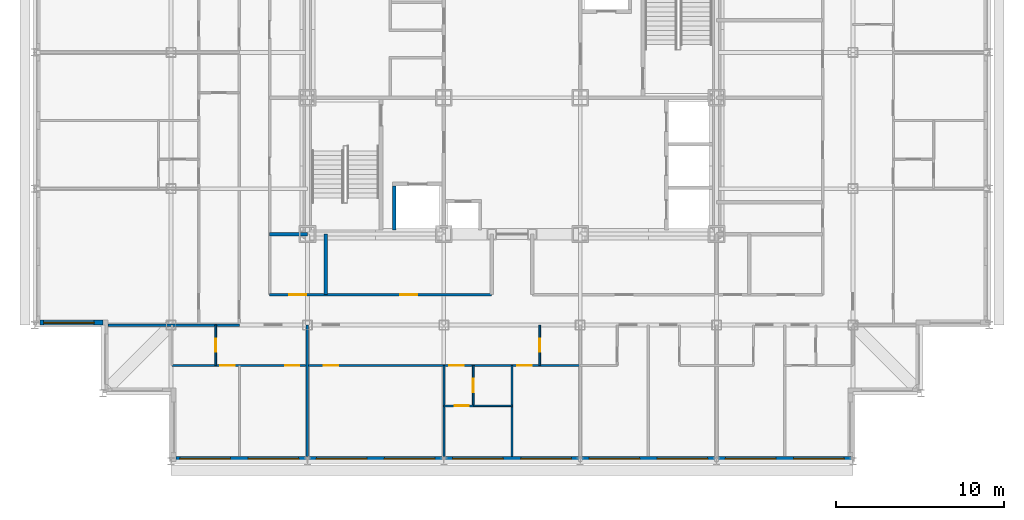
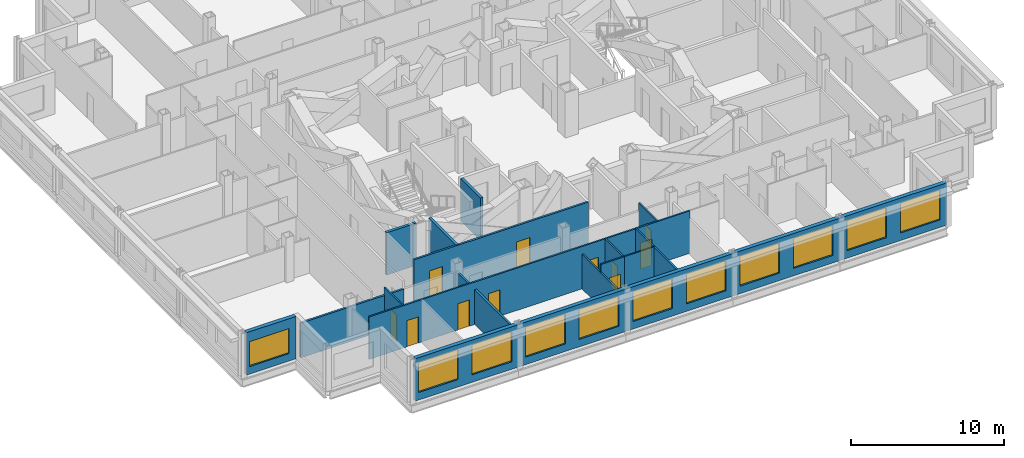
# One storey, part 4 of 12: 16 walls, 11 doors, 11 windows, 22 openings.
"""IFC4 building model written with IfcOpenShell, lengths in metres."""

import ifcopenshell
import ifcopenshell.guid

model = None  # the IFC model being written
_history = None  # IfcOwnerHistory: only IFC2X3 demands one
_inside = {}  # id of a spatial element -> (the spatial element, [elements in it])
_under = {}  # id of a project, library or spatial element -> (it, [spatial elements below it])
_declared = {}  # id of a project -> (the project, [libraries it declares])
_typed = {}  # id of a type object -> (the type object, [elements of that type])
_made_of = {}  # id of a material, layer set ... -> (it, [elements and type objects made of it])


def new_model(schema):
    """Start an empty IFC model of exactly this schema.

    Asked for "IFC4X3", IfcOpenShell would pick the latest addendum, in which some entities
    have other attributes; the version numbers below select the first issue.
    IFC2X3 requires an IfcOwnerHistory on every rooted entity: one is made here for all.
    """
    global model, _history
    if schema == "IFC4X3":
        model = ifcopenshell.file(schema_version=(4, 3, 0, 0))
    else:
        model = ifcopenshell.file(schema=schema)
    _inside.clear()
    _under.clear()
    _declared.clear()
    _typed.clear()
    _made_of.clear()
    _history = None
    if model.schema == "IFC2X3":
        org = make("IfcOrganization", Name="unknown")
        user = make(
            "IfcPersonAndOrganization",
            ThePerson=make("IfcPerson", FamilyName="unknown"),
            TheOrganization=org,
        )
        app = make(
            "IfcApplication",
            ApplicationDeveloper=org,
            Version="unknown",
            ApplicationFullName="unknown",
            ApplicationIdentifier="unknown",
        )
        _history = make(
            "IfcOwnerHistory",
            OwningUser=user,
            OwningApplication=app,
            ChangeAction="ADDED",
            CreationDate=0,
        )
    return model


def make(cls, **values):
    """One entity of the class cls with the attributes given. An attribute that is None is left unset."""
    return model.create_entity(
        cls, **{name: value for name, value in values.items() if value is not None}
    )


def rooted(cls, **values):
    """An entity with a GlobalId (a new one), such as an element, a storey or a relation."""
    return make(cls, GlobalId=ifcopenshell.guid.new(), OwnerHistory=_history, **values)


def si_unit(unit_type, name, prefix=None):
    """IfcSIUnit, for example si_unit("LENGTHUNIT", "METRE", prefix="MILLI")."""
    return make("IfcSIUnit", UnitType=unit_type, Prefix=prefix, Name=name)


def assignment(units):
    """IfcUnitAssignment: the units of a project."""
    return None if units is None else make("IfcUnitAssignment", Units=units)


def point(xyz):
    """IfcCartesianPoint."""
    return None if xyz is None else make("IfcCartesianPoint", Coordinates=xyz)


def direction(xyz):
    """IfcDirection."""
    return None if xyz is None else make("IfcDirection", DirectionRatios=xyz)


def frame(location, z_axis=None, x_axis=None):
    """IfcAxis2Placement3D, a coordinate frame: its origin and axes. An axis left out is left unset."""
    return make(
        "IfcAxis2Placement3D",
        Location=point(location),
        Axis=direction(z_axis),
        RefDirection=direction(x_axis),
    )


def frame_2d(location, x_axis=None):
    """IfcAxis2Placement2D, a coordinate frame in the plane: its origin and x axis."""
    return make(
        "IfcAxis2Placement2D", Location=point(location), RefDirection=direction(x_axis)
    )


def origin():
    """The frame at (0, 0, 0) with its axes left unset."""
    return frame((0.0, 0.0, 0.0))


def place(relative_to, where):
    """IfcLocalPlacement: puts the frame where relative to a parent placement (None: the world)."""
    return make(
        "IfcLocalPlacement", PlacementRelTo=relative_to, RelativePlacement=where
    )


def context(
    kind, dimensions, precision=None, world=None, true_north=None, identifier=None
):
    """IfcGeometricRepresentationContext, for example the 3D "Model" context."""
    return make(
        "IfcGeometricRepresentationContext",
        ContextIdentifier=identifier,
        ContextType=kind,
        CoordinateSpaceDimension=dimensions,
        Precision=precision,
        WorldCoordinateSystem=world,
        TrueNorth=true_north,
    )


def subcontext(parent, identifier, kind, view, scale=None):
    """IfcGeometricRepresentationSubContext, for example "Body" below "Model"."""
    return make(
        "IfcGeometricRepresentationSubContext",
        ContextIdentifier=identifier,
        ContextType=kind,
        ParentContext=parent,
        TargetScale=scale,
        TargetView=view,
    )


def project(units=None, contexts=None):
    """IfcProject with its units and contexts."""
    return rooted(
        "IfcProject",
        Name="project",
        RepresentationContexts=contexts,
        UnitsInContext=assignment(units),
    )


def spatial(cls, under=None, at=None, **own):
    """A site, building, storey or space (cls), placed at a placement, below another one or the project."""
    s = rooted(cls, ObjectPlacement=at, **own)
    if under is not None:
        _under.setdefault(under.id(), (under, []))[1].append(s)
    return s


def profile(cls, at=None, kind="AREA", **sizes):
    """A parametric profile (cls). Its sizes go by their IFC names, for example OverallWidth=200.0."""
    return make(cls, ProfileType=kind, Position=at, **sizes)


def rectangle(**sizes):
    """IfcRectangleProfileDef."""
    return profile("IfcRectangleProfileDef", **sizes)


def extrude(swept, where, along, depth):
    """IfcExtrudedAreaSolid: the profile swept, set in the frame where, extruded along a direction by depth."""
    return make(
        "IfcExtrudedAreaSolid",
        SweptArea=swept,
        Position=where,
        ExtrudedDirection=direction(along),
        Depth=depth,
    )


def shape(context_of_items, identifier, shape_type, items):
    """IfcShapeRepresentation: the items that make up one representation, for example the "Body"."""
    return make(
        "IfcShapeRepresentation",
        ContextOfItems=context_of_items,
        RepresentationIdentifier=identifier,
        RepresentationType=shape_type,
        Items=items,
    )


def material(Name=None, Category=None):
    """IfcMaterial."""
    return make("IfcMaterial", Name=Name, Category=Category)


def layer(
    of_material, thickness, ventilated=None, Name=None, Category=None, Priority=None
):
    """IfcMaterialLayer: one layer of a wall or slab, of a material (None: an air gap)."""
    return make(
        "IfcMaterialLayer",
        Material=of_material,
        LayerThickness=thickness,
        IsVentilated=ventilated,
        Name=Name,
        Category=Category,
        Priority=Priority,
    )


def layer_set(layers, Name=None):
    """IfcMaterialLayerSet."""
    return make("IfcMaterialLayerSet", MaterialLayers=layers, LayerSetName=Name)


def made_of(thing, what):
    """Note that an element or type object is made of a material, layer set ...; save() writes the relation."""
    if what is not None:
        _made_of.setdefault(what.id(), (what, []))[1].append(thing)
    return thing


def type_object(cls, material=None, **own):
    """A type object (cls), such as IfcWallType, which elements share."""
    return made_of(rooted(cls, **own), material)


def element(
    cls,
    number,
    at=None,
    inside=None,
    cuts=None,
    type_object=None,
    material=None,
    context=None,
    identifier="Body",
    shape_type=None,
    held_by="IfcProductDefinitionShape",
    body=None,
    shapes=None,
    **own,
):
    """One element of the class cls, such as IfcWall. Its Tag is "e" and its number.

    at: its placement. inside: the storey or other place that contains it. cuts: it is an
    opening in that element (IfcRelVoidsElement). A single representation is given by context,
    identifier, shape_type and body (its items); several are given by shapes. held_by: the class
    of the entity that holds the representations. save() writes the other relations.
    """
    e = rooted(cls, Tag="e%d" % number, ObjectPlacement=at, **own)
    if body is not None:
        shapes = [shape(context, identifier, shape_type, body)]
    if shapes is not None:
        e.Representation = make(held_by, Representations=shapes)
    if inside is not None:
        _inside.setdefault(inside.id(), (inside, []))[1].append(e)
    if cuts is not None:
        rooted(
            "IfcRelVoidsElement", RelatingBuildingElement=cuts, RelatedOpeningElement=e
        )
    if type_object is not None:
        _typed.setdefault(type_object.id(), (type_object, []))[1].append(e)
    return made_of(e, material)


def fill(opening, filler):
    """IfcRelFillsElement: the door or window that sits in an opening."""
    return rooted(
        "IfcRelFillsElement",
        RelatingOpeningElement=opening,
        RelatedBuildingElement=filler,
    )


def aggregate(whole, parts):
    """IfcRelAggregates: a whole, such as a stair, and the parts it consists of."""
    return rooted("IfcRelAggregates", RelatingObject=whole, RelatedObjects=parts)


def save(model, path):
    """Write the relations noted so far, then the file.

    IfcRelAggregates (storeys below a building ...), IfcRelContainedInSpatialStructure (elements
    in a storey), IfcRelDefinesByType, IfcRelAssociatesMaterial and IfcRelDeclares: one each for
    every whole, place, type object, material and project.
    """
    for whole, parts in _under.values():
        aggregate(whole, parts)
    for where, things in _inside.values():
        rooted(
            "IfcRelContainedInSpatialStructure",
            RelatedElements=things,
            RelatingStructure=where,
        )
    for kind, things in _typed.values():
        rooted("IfcRelDefinesByType", RelatedObjects=things, RelatingType=kind)
    for what, things in _made_of.values():
        rooted("IfcRelAssociatesMaterial", RelatedObjects=things, RelatingMaterial=what)
    for by, libraries in _declared.values():
        rooted("IfcRelDeclares", RelatingContext=by, RelatedDefinitions=libraries)
    model.write(path)


model = new_model("IFC4")

# Units and contexts
model_context = context("Model", 3, precision=1e-05, world=origin(), true_north=direction((0.0, 1.0)))
body_context = subcontext(model_context, "Body", "Model", "MODEL_VIEW")
ifc_project = project(units=[si_unit("LENGTHUNIT", "METRE"), si_unit("AREAUNIT", "SQUARE_METRE"), si_unit("VOLUMEUNIT", "CUBIC_METRE"), si_unit("PLANEANGLEUNIT", "RADIAN"), si_unit("MASSUNIT", "GRAM", prefix="KILO")], contexts=[model_context])

# Site, building, storey
site_placement = place(None, origin())
site = spatial("IfcSite", under=ifc_project, at=site_placement, CompositionType="ELEMENT")
building_placement = place(site_placement, origin())
building = spatial("IfcBuilding", under=site, at=building_placement, Name="Kopane Lantern Tower", CompositionType="ELEMENT")
storey_placement = place(building_placement, frame((0.0, 0.0, 217.199951171875)))
storey = spatial("IfcBuildingStorey", under=building, at=storey_placement, Name="L56", CompositionType="ELEMENT", Elevation=217.199951171875)

# Walls
ifc_material_1 = material(Name="Gypsum board on steel studs", Category="steel")
ifc_layer_1 = layer(ifc_material_1, 0.1201171875)
ifc_layer_set_1 = layer_set([ifc_layer_1], Name="APARTMENT INTERNAL WALL 120")
wall_type_1 = type_object("IfcWallType", Name="APARTMENT INTERNAL WALL 120", PredefinedType="PARTITIONING", material=ifc_layer_set_1)
wall_1_placement = place(storey_placement, frame((24.300048828125, 16.5, 0.0), z_axis=(0.0, 0.0, 1.0), x_axis=(0.0, -1.0, 0.0)))
element("IfcWall", 1, at=wall_1_placement, inside=storey, type_object=wall_type_1, Name="Apartment Internal Wall 120 L56", PredefinedType="PARTITIONING", context=body_context, shape_type="SweptSolid", body=[
    extrude(rectangle(XDim=5.39990234375, YDim=0.1201171875, at=frame_2d((2.699951171875, 0.0))), origin(), (0.0, 0.0, 1.0), 2.77783203125),
])
wall_2_placement = place(storey_placement, frame((28.35009765625, 16.5, 0.0), z_axis=(0.0, 0.0, 1.0), x_axis=(0.0, -1.0, 0.0)))
element("IfcWall", 2, at=wall_2_placement, inside=storey, type_object=wall_type_1, Name="Apartment Internal Wall 120 L56", PredefinedType="PARTITIONING", context=body_context, shape_type="SweptSolid", body=[
    extrude(rectangle(XDim=5.39990234375, YDim=0.1201171875, at=frame_2d((2.699951171875, 0.0))), origin(), (0.0, 0.0, 1.0), 3.39013671875),
])

# Wall, openings, doors
wall_3_placement = place(storey_placement, frame((8.14990234375, 16.5, 0.0), z_axis=(0.0, 0.0, 1.0), x_axis=(1.0, 0.0, 0.0)))
wall_3 = element("IfcWall", 3, at=wall_3_placement, inside=storey, type_object=wall_type_1, Name="Apartment Internal Wall 120 L56", PredefinedType="PARTITIONING", context=body_context, shape_type="SweptSolid", body=[
    extrude(rectangle(XDim=24.25, YDim=0.1201171875, at=frame_2d((12.125, 0.0))), origin(), (0.0, 0.0, 1.0), 3.39013671875),
])
opening_1_placement = place(wall_3_placement, frame((9.02490234375, 0.0, 0.0)))
opening_1 = element("IfcOpeningElement", 4, at=opening_1_placement, cuts=wall_3, Name="Opening L56-014", PredefinedType="OPENING", context=body_context, shape_type="SweptSolid", body=[
    extrude(rectangle(XDim=0.85009765625, YDim=2.10009765625, at=frame_2d((0.425048828125, 1.050048828125))), frame((0.0, 0.070068359375, 0.0), z_axis=(0.0, -1.0, 0.0), x_axis=(1.0, 0.0, 0.0)), (0.0, 0.0, 1.0), 0.14013671875),
])
opening_2_placement = place(wall_3_placement, frame((16.47509765625, 0.0, 0.0)))
opening_2 = element("IfcOpeningElement", 5, at=opening_2_placement, cuts=wall_3, Name="Opening L56-016", PredefinedType="OPENING", context=body_context, shape_type="SweptSolid", body=[
    extrude(rectangle(XDim=0.85009765625, YDim=2.10009765625, at=frame_2d((0.425048828125, 1.050048828125))), frame((0.0, 0.070068359375, 0.0), z_axis=(0.0, -1.0, 0.0), x_axis=(1.0, 0.0, 0.0)), (0.0, 0.0, 1.0), 0.14013671875),
])
opening_3_placement = place(wall_3_placement, frame((20.52490234375, 0.0, 0.0)))
opening_3 = element("IfcOpeningElement", 6, at=opening_3_placement, cuts=wall_3, Name="Opening L56-017", PredefinedType="OPENING", context=body_context, shape_type="SweptSolid", body=[
    extrude(rectangle(XDim=0.85009765625, YDim=2.10009765625, at=frame_2d((0.425048828125, 1.050048828125))), frame((0.0, 0.070068359375, 0.0), z_axis=(0.0, -1.0, 0.0), x_axis=(1.0, 0.0, 0.0)), (0.0, 0.0, 1.0), 0.14013671875),
])
opening_4_placement = place(wall_3_placement, frame((6.72509765625, 0.0, 0.0)))
opening_4 = element("IfcOpeningElement", 7, at=opening_4_placement, cuts=wall_3, Name="Opening L56-055", PredefinedType="OPENING", context=body_context, shape_type="SweptSolid", body=[
    extrude(rectangle(XDim=0.85009765625, YDim=2.10009765625, at=frame_2d((0.425048828125, 1.050048828125))), frame((0.0, 0.070068359375, 0.0), z_axis=(0.0, -1.0, 0.0), x_axis=(1.0, 0.0, 0.0)), (0.0, 0.0, 1.0), 0.14013671875),
])
opening_5_placement = place(wall_3_placement, frame((2.875, 0.0, 0.0)))
opening_5 = element("IfcOpeningElement", 8, at=opening_5_placement, cuts=wall_3, Name="Opening L56-057", PredefinedType="OPENING", context=body_context, shape_type="SweptSolid", body=[
    extrude(rectangle(XDim=0.85009765625, YDim=2.10009765625, at=frame_2d((0.425048828125, 1.050048828125))), frame((0.0, 0.070068359375, 0.0), z_axis=(0.0, -1.0, 0.0), x_axis=(1.0, 0.0, 0.0)), (0.0, 0.0, 1.0), 0.14013671875),
])
ifc_material_2 = material(Name="Timber door set", Category="wood")
door_type_1 = type_object("IfcDoorType", Name="DOOR D4 850x2100", OperationType="SINGLE_SWING_LEFT", PredefinedType="DOOR", material=ifc_material_2)
door_1_placement = place(opening_1_placement, origin())
door_1 = element("IfcDoor", 9, at=door_1_placement, inside=storey, type_object=door_type_1, Name="Door L56-014", OperationType="SINGLE_SWING_RIGHT", OverallHeight=2.10009765625, OverallWidth=0.85009765625, PredefinedType="DOOR", context=body_context, shape_type="SweptSolid", body=[
    extrude(rectangle(XDim=0.85009765625, YDim=2.10009765625, at=frame_2d((0.425048828125, 1.050048828125))), frame((0.0, 0.02490234375, 0.0), z_axis=(0.0, -1.0, 0.0), x_axis=(1.0, 0.0, 0.0)), (0.0, 0.0, 1.0), 0.050048828125),
])
fill(opening_1, door_1)
door_2_placement = place(opening_2_placement, origin())
door_2 = element("IfcDoor", 10, at=door_2_placement, inside=storey, type_object=door_type_1, Name="Door L56-016", OperationType="SINGLE_SWING_RIGHT", OverallHeight=2.10009765625, OverallWidth=0.85009765625, PredefinedType="DOOR", context=body_context, shape_type="SweptSolid", body=[
    extrude(rectangle(XDim=0.85009765625, YDim=2.10009765625, at=frame_2d((0.425048828125, 1.050048828125))), frame((0.0, 0.02490234375, 0.0), z_axis=(0.0, -1.0, 0.0), x_axis=(1.0, 0.0, 0.0)), (0.0, 0.0, 1.0), 0.050048828125),
])
fill(opening_2, door_2)
door_3_placement = place(opening_3_placement, origin())
door_3 = element("IfcDoor", 11, at=door_3_placement, inside=storey, type_object=door_type_1, Name="Door L56-017", OperationType="SINGLE_SWING_RIGHT", OverallHeight=2.10009765625, OverallWidth=0.85009765625, PredefinedType="DOOR", context=body_context, shape_type="SweptSolid", body=[
    extrude(rectangle(XDim=0.85009765625, YDim=2.10009765625, at=frame_2d((0.425048828125, 1.050048828125))), frame((0.0, 0.02490234375, 0.0), z_axis=(0.0, -1.0, 0.0), x_axis=(1.0, 0.0, 0.0)), (0.0, 0.0, 1.0), 0.050048828125),
])
fill(opening_3, door_3)
door_4_placement = place(opening_4_placement, origin())
door_4 = element("IfcDoor", 12, at=door_4_placement, inside=storey, type_object=door_type_1, Name="Door L56-055", OperationType="SINGLE_SWING_RIGHT", OverallHeight=2.10009765625, OverallWidth=0.85009765625, PredefinedType="DOOR", context=body_context, shape_type="SweptSolid", body=[
    extrude(rectangle(XDim=0.85009765625, YDim=2.10009765625, at=frame_2d((0.425048828125, 1.050048828125))), frame((0.0, 0.02490234375, 0.0), z_axis=(0.0, -1.0, 0.0), x_axis=(1.0, 0.0, 0.0)), (0.0, 0.0, 1.0), 0.050048828125),
])
fill(opening_4, door_4)
door_5_placement = place(opening_5_placement, origin())
door_5 = element("IfcDoor", 13, at=door_5_placement, inside=storey, type_object=door_type_1, Name="Door L56-057", OperationType="SINGLE_SWING_LEFT", OverallHeight=2.10009765625, OverallWidth=0.85009765625, PredefinedType="DOOR", context=body_context, shape_type="SweptSolid", body=[
    extrude(rectangle(XDim=0.85009765625, YDim=2.10009765625, at=frame_2d((0.425048828125, 1.050048828125))), frame((0.0, 0.02490234375, 0.0), z_axis=(0.0, -1.0, 0.0), x_axis=(1.0, 0.0, 0.0)), (0.0, 0.0, 1.0), 0.050048828125),
])
fill(opening_5, door_5)

# Wall, opening, door
wall_4_placement = place(storey_placement, frame((26.06005859375, 14.10009765625, 0.0), z_axis=(0.0, 0.0, 1.0), x_axis=(-1.0, 0.0, 0.0)))
wall_4 = element("IfcWall", 14, at=wall_4_placement, inside=storey, type_object=wall_type_1, Name="Apartment Internal Wall 120 L56", PredefinedType="PARTITIONING", context=body_context, shape_type="SweptSolid", body=[
    extrude(rectangle(XDim=1.760009765625, YDim=0.1201171875, at=frame_2d((0.8798828125, 0.0))), origin(), (0.0, 0.0, 1.0), 3.39013671875),
])
opening_6_placement = place(wall_4_placement, frame((0.27490234375, 0.0, 0.0)))
opening_6 = element("IfcOpeningElement", 15, at=opening_6_placement, cuts=wall_4, Name="Opening L56-069", PredefinedType="OPENING", context=body_context, shape_type="SweptSolid", body=[
    extrude(rectangle(XDim=0.85009765625, YDim=2.10009765625, at=frame_2d((0.425048828125, 1.050048828125))), frame((0.0, 0.070068359375, 0.0), z_axis=(0.0, -1.0, 0.0), x_axis=(1.0, 0.0, 0.0)), (0.0, 0.0, 1.0), 0.14013671875),
])
door_6_placement = place(opening_6_placement, origin())
door_6 = element("IfcDoor", 16, at=door_6_placement, inside=storey, type_object=door_type_1, Name="Door L56-069", OperationType="SINGLE_SWING_RIGHT", OverallHeight=2.10009765625, OverallWidth=0.85009765625, PredefinedType="DOOR", context=body_context, shape_type="SweptSolid", body=[
    extrude(rectangle(XDim=0.85009765625, YDim=2.10009765625, at=frame_2d((0.425048828125, 1.050048828125))), frame((0.0, 0.02490234375, 0.0), z_axis=(0.0, -1.0, 0.0), x_axis=(1.0, 0.0, 0.0)), (0.0, 0.0, 1.0), 0.050048828125),
])
fill(opening_6, door_6)

ifc_material_3 = material(Name="Moisture-resistant board on steel studs", Category="steel")
ifc_layer_2 = layer(ifc_material_3, 0.10009765625)
ifc_layer_set_2 = layer_set([ifc_layer_2], Name="BATHROOM WALL 100")
wall_type_2 = type_object("IfcWallType", Name="BATHROOM WALL 100", PredefinedType="PARTITIONING", material=ifc_layer_set_2)
wall_5_placement = place(storey_placement, frame((30.0, 18.89990234375, 0.0), z_axis=(0.0, 0.0, 1.0), x_axis=(0.0, -1.0, 0.0)))
wall_5 = element("IfcWall", 17, at=wall_5_placement, inside=storey, type_object=wall_type_2, Name="Bathroom Wall 100 L56", PredefinedType="PARTITIONING", context=body_context, shape_type="SweptSolid", body=[
    extrude(rectangle(XDim=2.39990234375, YDim=0.10009765625, at=frame_2d((1.199951171875, 0.0))), origin(), (0.0, 0.0, 1.0), 3.39013671875),
])
opening_7_placement = place(wall_5_placement, frame((0.800048828125, 0.0, 0.0)))
opening_7 = element("IfcOpeningElement", 18, at=opening_7_placement, cuts=wall_5, Name="Opening L56-012", PredefinedType="OPENING", context=body_context, shape_type="SweptSolid", body=[
    extrude(rectangle(XDim=0.800048828125, YDim=2.10009765625, at=frame_2d((0.39990234375, 1.050048828125))), frame((0.0, 0.06005859375, 0.0), z_axis=(0.0, -1.0, 0.0), x_axis=(1.0, 0.0, 0.0)), (0.0, 0.0, 1.0), 0.1201171875),
])
ifc_material_4 = material(Name="Timber door set", Category="wood")
door_type_2 = type_object("IfcDoorType", Name="DOOR D2 800x2100", OperationType="SINGLE_SWING_LEFT", PredefinedType="DOOR", material=ifc_material_4)
door_7_placement = place(opening_7_placement, origin())
door_7 = element("IfcDoor", 19, at=door_7_placement, inside=storey, type_object=door_type_2, Name="Door L56-012", OperationType="SINGLE_SWING_LEFT", OverallHeight=2.10009765625, OverallWidth=0.800048828125, PredefinedType="DOOR", context=body_context, shape_type="SweptSolid", body=[
    extrude(rectangle(XDim=0.800048828125, YDim=2.10009765625, at=frame_2d((0.39990234375, 1.050048828125))), frame((0.0, 0.02490234375, 0.0), z_axis=(0.0, -1.0, 0.0), x_axis=(1.0, 0.0, 0.0)), (0.0, 0.0, 1.0), 0.050048828125),
])
fill(opening_7, door_7)

wall_6_placement = place(storey_placement, frame((26.050048828125, 16.5, 0.0), z_axis=(0.0, 0.0, 1.0), x_axis=(0.0, -1.0, 0.0)))
wall_6 = element("IfcWall", 20, at=wall_6_placement, inside=storey, type_object=wall_type_2, Name="Bathroom Wall 100 L56", PredefinedType="PARTITIONING", context=body_context, shape_type="SweptSolid", body=[
    extrude(rectangle(XDim=2.39990234375, YDim=0.10009765625, at=frame_2d((1.199951171875, 0.0))), origin(), (0.0, 0.0, 1.0), 3.39013671875),
])
opening_8_placement = place(wall_6_placement, frame((0.800048828125, 0.0, 0.0)))
opening_8 = element("IfcOpeningElement", 21, at=opening_8_placement, cuts=wall_6, Name="Opening L56-015", PredefinedType="OPENING", context=body_context, shape_type="SweptSolid", body=[
    extrude(rectangle(XDim=0.800048828125, YDim=2.10009765625, at=frame_2d((0.39990234375, 1.050048828125))), frame((0.0, 0.06005859375, 0.0), z_axis=(0.0, -1.0, 0.0), x_axis=(1.0, 0.0, 0.0)), (0.0, 0.0, 1.0), 0.1201171875),
])
door_8_placement = place(opening_8_placement, origin())
door_8 = element("IfcDoor", 22, at=door_8_placement, inside=storey, type_object=door_type_2, Name="Door L56-015", OperationType="SINGLE_SWING_LEFT", OverallHeight=2.10009765625, OverallWidth=0.800048828125, PredefinedType="DOOR", context=body_context, shape_type="SweptSolid", body=[
    extrude(rectangle(XDim=0.800048828125, YDim=2.10009765625, at=frame_2d((0.39990234375, 1.050048828125))), frame((0.0, 0.02490234375, 0.0), z_axis=(0.0, -1.0, 0.0), x_axis=(1.0, 0.0, 0.0)), (0.0, 0.0, 1.0), 0.050048828125),
])
fill(opening_8, door_8)

# Wall
wall_7_placement = place(storey_placement, frame((26.050048828125, 14.10009765625, 0.0), z_axis=(0.0, 0.0, 1.0), x_axis=(1.0, 0.0, 0.0)))
element("IfcWall", 23, at=wall_7_placement, inside=storey, type_object=wall_type_2, Name="Bathroom Wall 100 L56", PredefinedType="PARTITIONING", context=body_context, shape_type="SweptSolid", body=[
    extrude(rectangle(XDim=2.300048828125, YDim=0.10009765625, at=frame_2d((1.14990234375, 0.0))), origin(), (0.0, 0.0, 1.0), 3.39013671875),
])

# Wall, opening, door
wall_8_placement = place(storey_placement, frame((10.75, 18.89990234375, 0.0), z_axis=(0.0, 0.0, 1.0), x_axis=(0.0, -1.0, 0.0)))
wall_8 = element("IfcWall", 24, at=wall_8_placement, inside=storey, type_object=wall_type_2, Name="Bathroom Wall 100 L56", PredefinedType="PARTITIONING", context=body_context, shape_type="SweptSolid", body=[
    extrude(rectangle(XDim=2.39990234375, YDim=0.10009765625, at=frame_2d((1.199951171875, 0.0))), origin(), (0.0, 0.0, 1.0), 3.39013671875),
])
opening_9_placement = place(wall_8_placement, frame((0.800048828125, 0.0, 0.0)))
opening_9 = element("IfcOpeningElement", 25, at=opening_9_placement, cuts=wall_8, Name="Opening L56-056", PredefinedType="OPENING", context=body_context, shape_type="SweptSolid", body=[
    extrude(rectangle(XDim=0.800048828125, YDim=2.10009765625, at=frame_2d((0.39990234375, 1.050048828125))), frame((0.0, 0.06005859375, 0.0), z_axis=(0.0, -1.0, 0.0), x_axis=(1.0, 0.0, 0.0)), (0.0, 0.0, 1.0), 0.1201171875),
])
door_9_placement = place(opening_9_placement, origin())
door_9 = element("IfcDoor", 26, at=door_9_placement, inside=storey, type_object=door_type_2, Name="Door L56-056", OperationType="SINGLE_SWING_RIGHT", OverallHeight=2.10009765625, OverallWidth=0.800048828125, PredefinedType="DOOR", context=body_context, shape_type="SweptSolid", body=[
    extrude(rectangle(XDim=0.800048828125, YDim=2.10009765625, at=frame_2d((0.39990234375, 1.050048828125))), frame((0.0, 0.02490234375, 0.0), z_axis=(0.0, -1.0, 0.0), x_axis=(1.0, 0.0, 0.0)), (0.0, 0.0, 1.0), 0.050048828125),
])
fill(opening_9, door_9)

# Wall, openings, doors
ifc_material_5 = material(Name="Gypsum board on steel studs", Category="steel")
ifc_layer_3 = layer(ifc_material_5, 0.14990234375)
ifc_layer_set_3 = layer_set([ifc_layer_3], Name="CORRIDOR WALL 150 EI 60")
wall_type_3 = type_object("IfcWallType", Name="CORRIDOR WALL 150 EI 60", PredefinedType="PARTITIONING", material=ifc_layer_set_3)
wall_9_placement = place(storey_placement, frame((13.949951171875, 20.699951171875, 0.0), z_axis=(0.0, 0.0, 1.0), x_axis=(1.0, 0.0, 0.0)))
wall_9 = element("IfcWall", 27, at=wall_9_placement, inside=storey, type_object=wall_type_3, Name="Corridor Wall 150 Ei 60 L56", PredefinedType="PARTITIONING", context=body_context, shape_type="SweptSolid", body=[
    extrude(rectangle(XDim=13.18994140625, YDim=0.14990234375, at=frame_2d((6.594970703125, 0.0))), origin(), (0.0, 0.0, 1.0), 3.39013671875),
])
opening_10_placement = place(wall_9_placement, frame((1.166748046875, 0.0, 0.0)))
opening_10 = element("IfcOpeningElement", 28, at=opening_10_placement, cuts=wall_9, Name="Opening L56-007", PredefinedType="OPENING", context=body_context, shape_type="SweptSolid", body=[
    extrude(rectangle(XDim=1.0, YDim=2.10009765625, at=frame_2d((0.5, 1.050048828125))), frame((0.0, 0.0849609375, 0.0), z_axis=(0.0, -1.0, 0.0), x_axis=(1.0, 0.0, 0.0)), (0.0, 0.0, 1.0), 0.169921875),
])
opening_11_placement = place(wall_9_placement, frame((7.7666015625, 0.0, 0.0)))
opening_11 = element("IfcOpeningElement", 29, at=opening_11_placement, cuts=wall_9, Name="Opening L56-008", PredefinedType="OPENING", context=body_context, shape_type="SweptSolid", body=[
    extrude(rectangle(XDim=1.0, YDim=2.10009765625, at=frame_2d((0.5, 1.050048828125))), frame((0.0, 0.0849609375, 0.0), z_axis=(0.0, -1.0, 0.0), x_axis=(1.0, 0.0, 0.0)), (0.0, 0.0, 1.0), 0.169921875),
])
ifc_material_6 = material(Name="Steel door set", Category="steel")
door_type_3 = type_object("IfcDoorType", Name="DOOR D5 1000x2100 FD60", OperationType="SINGLE_SWING_LEFT", PredefinedType="DOOR", material=ifc_material_6)
door_10_placement = place(opening_10_placement, origin())
door_10 = element("IfcDoor", 30, at=door_10_placement, inside=storey, type_object=door_type_3, Name="Door L56-007", OperationType="SINGLE_SWING_LEFT", OverallHeight=2.10009765625, OverallWidth=1.0, PredefinedType="DOOR", context=body_context, shape_type="SweptSolid", body=[
    extrude(rectangle(XDim=1.0, YDim=2.10009765625, at=frame_2d((0.5, 1.050048828125))), frame((0.0, 0.02490234375, 0.0), z_axis=(0.0, -1.0, 0.0), x_axis=(1.0, 0.0, 0.0)), (0.0, 0.0, 1.0), 0.050048828125),
])
fill(opening_10, door_10)
door_11_placement = place(opening_11_placement, origin())
door_11 = element("IfcDoor", 31, at=door_11_placement, inside=storey, type_object=door_type_3, Name="Door L56-008", OperationType="SINGLE_SWING_RIGHT", OverallHeight=2.10009765625, OverallWidth=1.0, PredefinedType="DOOR", context=body_context, shape_type="SweptSolid", body=[
    extrude(rectangle(XDim=1.0, YDim=2.10009765625, at=frame_2d((0.5, 1.050048828125))), frame((0.0, 0.02490234375, 0.0), z_axis=(0.0, -1.0, 0.0), x_axis=(1.0, 0.0, 0.0)), (0.0, 0.0, 1.0), 0.050048828125),
])
fill(opening_11, door_11)

# Walls
ifc_material_7 = material(Name="Gypsum board on steel studs", Category="steel")
ifc_layer_4 = layer(ifc_material_7, 0.14990234375)
ifc_layer_set_4 = layer_set([ifc_layer_4], Name="DEMISING WALL 150 EI 60")
wall_type_4 = type_object("IfcWallType", Name="DEMISING WALL 150 EI 60", PredefinedType="PARTITIONING", material=ifc_layer_set_4)
for number, where, z_axis, x_axis, name in (
    (32, (4.35009765625, 18.89990234375, 0.0), (0.0, 0.0, 1.0), (1.0, 0.0, 0.0), "Demising Wall 150 Ei 60 L56"),
    (33, (16.199951171875, 18.89990234375, 0.0), (0.0, 0.0, 1.0), (0.0, -1.0, 0.0), "Demising Wall 150 Ei 60 L56"),
):
    element("IfcWall", number, at=place(storey_placement, frame(where, z_axis=z_axis, x_axis=x_axis)), inside=storey, type_object=wall_type_4, Name=name, PredefinedType="PARTITIONING", context=body_context, shape_type="SweptSolid", body=[
        extrude(rectangle(XDim=7.7998046875, YDim=0.14990234375, at=frame_2d((3.89990234375, 0.0))), origin(), (0.0, 0.0, 1.0), 2.77783203125),
    ])

# Wall, openings, windows
ifc_material_8 = material(Name="Terracotta rainscreen on light steel framing", Category="masonry")
ifc_layer_5 = layer(ifc_material_8, 0.300048828125)
ifc_layer_set_5 = layer_set([ifc_layer_5], Name="EXTERNAL WALL EW1 300 TERRACOTTA")
wall_type_5 = type_object("IfcWallType", Name="EXTERNAL WALL EW1 300 TERRACOTTA", PredefinedType="SOLIDWALL", material=ifc_layer_set_5)
wall_10_placement = place(storey_placement, frame((8.39990234375, 10.949951171875, 0.0), z_axis=(0.0, 0.0, 1.0), x_axis=(1.0, 0.0, 0.0)))
wall_10 = element("IfcWall", 34, at=wall_10_placement, inside=storey, type_object=wall_type_5, Name="External wall S L56", PredefinedType="SOLIDWALL", context=body_context, shape_type="SweptSolid", body=[
    extrude(rectangle(XDim=40.2001953125, YDim=0.300048828125, at=frame_2d((20.10009765625, 0.0))), origin(), (0.0, 0.0, 1.0), 3.39013671875),
])
opening_12_placement = place(wall_10_placement, frame((0.22509765625, 0.0, 0.60009765625)))
opening_12 = element("IfcOpeningElement", 35, at=opening_12_placement, cuts=wall_10, Name="Opening WR300240", PredefinedType="OPENING", context=body_context, shape_type="SweptSolid", body=[
    extrude(rectangle(XDim=3.0, YDim=2.39990234375, at=frame_2d((1.5, 1.199951171875))), frame((0.0, 0.159912109375, 0.0), z_axis=(0.0, -1.0, 0.0), x_axis=(1.0, 0.0, 0.0)), (0.0, 0.0, 1.0), 0.320068359375),
])
opening_13_placement = place(wall_10_placement, frame((4.27490234375, 0.0, 0.60009765625)))
opening_13 = element("IfcOpeningElement", 36, at=opening_13_placement, cuts=wall_10, Name="Opening WR300240", PredefinedType="OPENING", context=body_context, shape_type="SweptSolid", body=[
    extrude(rectangle(XDim=3.0, YDim=2.39990234375, at=frame_2d((1.5, 1.199951171875))), frame((0.0, 0.159912109375, 0.0), z_axis=(0.0, -1.0, 0.0), x_axis=(1.0, 0.0, 0.0)), (0.0, 0.0, 1.0), 0.320068359375),
])
opening_14_placement = place(wall_10_placement, frame((8.324951171875, 0.0, 0.60009765625)))
opening_14 = element("IfcOpeningElement", 37, at=opening_14_placement, cuts=wall_10, Name="Opening WR300240", PredefinedType="OPENING", context=body_context, shape_type="SweptSolid", body=[
    extrude(rectangle(XDim=3.0, YDim=2.39990234375, at=frame_2d((1.5, 1.199951171875))), frame((0.0, 0.159912109375, 0.0), z_axis=(0.0, -1.0, 0.0), x_axis=(1.0, 0.0, 0.0)), (0.0, 0.0, 1.0), 0.320068359375),
])
opening_15_placement = place(wall_10_placement, frame((12.375, 0.0, 0.60009765625)))
opening_15 = element("IfcOpeningElement", 38, at=opening_15_placement, cuts=wall_10, Name="Opening WR300240", PredefinedType="OPENING", context=body_context, shape_type="SweptSolid", body=[
    extrude(rectangle(XDim=3.0, YDim=2.39990234375, at=frame_2d((1.5, 1.199951171875))), frame((0.0, 0.159912109375, 0.0), z_axis=(0.0, -1.0, 0.0), x_axis=(1.0, 0.0, 0.0)), (0.0, 0.0, 1.0), 0.320068359375),
])
opening_16_placement = place(wall_10_placement, frame((16.425048828125, 0.0, 0.60009765625)))
opening_16 = element("IfcOpeningElement", 39, at=opening_16_placement, cuts=wall_10, Name="Opening WR300240", PredefinedType="OPENING", context=body_context, shape_type="SweptSolid", body=[
    extrude(rectangle(XDim=3.0, YDim=2.39990234375, at=frame_2d((1.5, 1.199951171875))), frame((0.0, 0.159912109375, 0.0), z_axis=(0.0, -1.0, 0.0), x_axis=(1.0, 0.0, 0.0)), (0.0, 0.0, 1.0), 0.320068359375),
])
opening_17_placement = place(wall_10_placement, frame((20.47509765625, 0.0, 0.60009765625)))
opening_17 = element("IfcOpeningElement", 40, at=opening_17_placement, cuts=wall_10, Name="Opening WR300240", PredefinedType="OPENING", context=body_context, shape_type="SweptSolid", body=[
    extrude(rectangle(XDim=3.0, YDim=2.39990234375, at=frame_2d((1.5, 1.199951171875))), frame((0.0, 0.159912109375, 0.0), z_axis=(0.0, -1.0, 0.0), x_axis=(1.0, 0.0, 0.0)), (0.0, 0.0, 1.0), 0.320068359375),
])
opening_18_placement = place(wall_10_placement, frame((24.52490234375, 0.0, 0.60009765625)))
opening_18 = element("IfcOpeningElement", 41, at=opening_18_placement, cuts=wall_10, Name="Opening WR300240", PredefinedType="OPENING", context=body_context, shape_type="SweptSolid", body=[
    extrude(rectangle(XDim=3.0, YDim=2.39990234375, at=frame_2d((1.5, 1.199951171875))), frame((0.0, 0.159912109375, 0.0), z_axis=(0.0, -1.0, 0.0), x_axis=(1.0, 0.0, 0.0)), (0.0, 0.0, 1.0), 0.320068359375),
])
opening_19_placement = place(wall_10_placement, frame((28.574951171875, 0.0, 0.60009765625)))
opening_19 = element("IfcOpeningElement", 42, at=opening_19_placement, cuts=wall_10, Name="Opening WR300240", PredefinedType="OPENING", context=body_context, shape_type="SweptSolid", body=[
    extrude(rectangle(XDim=3.0, YDim=2.39990234375, at=frame_2d((1.5, 1.199951171875))), frame((0.0, 0.159912109375, 0.0), z_axis=(0.0, -1.0, 0.0), x_axis=(1.0, 0.0, 0.0)), (0.0, 0.0, 1.0), 0.320068359375),
])
opening_20_placement = place(wall_10_placement, frame((32.625, 0.0, 0.60009765625)))
opening_20 = element("IfcOpeningElement", 43, at=opening_20_placement, cuts=wall_10, Name="Opening WR300240", PredefinedType="OPENING", context=body_context, shape_type="SweptSolid", body=[
    extrude(rectangle(XDim=3.0, YDim=2.39990234375, at=frame_2d((1.5, 1.199951171875))), frame((0.0, 0.159912109375, 0.0), z_axis=(0.0, -1.0, 0.0), x_axis=(1.0, 0.0, 0.0)), (0.0, 0.0, 1.0), 0.320068359375),
])
opening_21_placement = place(wall_10_placement, frame((36.675048828125, 0.0, 0.60009765625)))
opening_21 = element("IfcOpeningElement", 44, at=opening_21_placement, cuts=wall_10, Name="Opening WR300240", PredefinedType="OPENING", context=body_context, shape_type="SweptSolid", body=[
    extrude(rectangle(XDim=3.0, YDim=2.39990234375, at=frame_2d((1.5, 1.199951171875))), frame((0.0, 0.159912109375, 0.0), z_axis=(0.0, -1.0, 0.0), x_axis=(1.0, 0.0, 0.0)), (0.0, 0.0, 1.0), 0.320068359375),
])
ifc_material_9 = material(Name="Aluminium and clear glass", Category="aluminium")
window_type_1 = type_object("IfcWindowType", Name="RIBBON WINDOW WR300240 3000x2400", PartitioningType="SINGLE_PANEL", PredefinedType="WINDOW", material=ifc_material_9)
window_1_placement = place(opening_12_placement, origin())
window_1 = element("IfcWindow", 45, at=window_1_placement, inside=storey, type_object=window_type_1, Name="Window S L56", OverallHeight=2.39990234375, OverallWidth=3.0, PartitioningType="SINGLE_PANEL", PredefinedType="WINDOW", context=body_context, shape_type="SweptSolid", body=[
    extrude(rectangle(XDim=3.0, YDim=2.39990234375, at=frame_2d((1.5, 1.199951171875))), frame((0.0, 0.030029296875, 0.0), z_axis=(0.0, -1.0, 0.0), x_axis=(1.0, 0.0, 0.0)), (0.0, 0.0, 1.0), 0.06005859375),
])
fill(opening_12, window_1)
window_2_placement = place(opening_13_placement, origin())
window_2 = element("IfcWindow", 46, at=window_2_placement, inside=storey, type_object=window_type_1, Name="Window S L56", OverallHeight=2.39990234375, OverallWidth=3.0, PartitioningType="SINGLE_PANEL", PredefinedType="WINDOW", context=body_context, shape_type="SweptSolid", body=[
    extrude(rectangle(XDim=3.0, YDim=2.39990234375, at=frame_2d((1.5, 1.199951171875))), frame((0.0, 0.030029296875, 0.0), z_axis=(0.0, -1.0, 0.0), x_axis=(1.0, 0.0, 0.0)), (0.0, 0.0, 1.0), 0.06005859375),
])
fill(opening_13, window_2)
window_3_placement = place(opening_14_placement, origin())
window_3 = element("IfcWindow", 47, at=window_3_placement, inside=storey, type_object=window_type_1, Name="Window S L56", OverallHeight=2.39990234375, OverallWidth=3.0, PartitioningType="SINGLE_PANEL", PredefinedType="WINDOW", context=body_context, shape_type="SweptSolid", body=[
    extrude(rectangle(XDim=3.0, YDim=2.39990234375, at=frame_2d((1.5, 1.199951171875))), frame((0.0, 0.030029296875, 0.0), z_axis=(0.0, -1.0, 0.0), x_axis=(1.0, 0.0, 0.0)), (0.0, 0.0, 1.0), 0.06005859375),
])
fill(opening_14, window_3)
window_4_placement = place(opening_15_placement, origin())
window_4 = element("IfcWindow", 48, at=window_4_placement, inside=storey, type_object=window_type_1, Name="Window S L56", OverallHeight=2.39990234375, OverallWidth=3.0, PartitioningType="SINGLE_PANEL", PredefinedType="WINDOW", context=body_context, shape_type="SweptSolid", body=[
    extrude(rectangle(XDim=3.0, YDim=2.39990234375, at=frame_2d((1.5, 1.199951171875))), frame((0.0, 0.030029296875, 0.0), z_axis=(0.0, -1.0, 0.0), x_axis=(1.0, 0.0, 0.0)), (0.0, 0.0, 1.0), 0.06005859375),
])
fill(opening_15, window_4)
window_5_placement = place(opening_16_placement, origin())
window_5 = element("IfcWindow", 49, at=window_5_placement, inside=storey, type_object=window_type_1, Name="Window S L56", OverallHeight=2.39990234375, OverallWidth=3.0, PartitioningType="SINGLE_PANEL", PredefinedType="WINDOW", context=body_context, shape_type="SweptSolid", body=[
    extrude(rectangle(XDim=3.0, YDim=2.39990234375, at=frame_2d((1.5, 1.199951171875))), frame((0.0, 0.030029296875, 0.0), z_axis=(0.0, -1.0, 0.0), x_axis=(1.0, 0.0, 0.0)), (0.0, 0.0, 1.0), 0.06005859375),
])
fill(opening_16, window_5)
window_6_placement = place(opening_17_placement, origin())
window_6 = element("IfcWindow", 50, at=window_6_placement, inside=storey, type_object=window_type_1, Name="Window S L56", OverallHeight=2.39990234375, OverallWidth=3.0, PartitioningType="SINGLE_PANEL", PredefinedType="WINDOW", context=body_context, shape_type="SweptSolid", body=[
    extrude(rectangle(XDim=3.0, YDim=2.39990234375, at=frame_2d((1.5, 1.199951171875))), frame((0.0, 0.030029296875, 0.0), z_axis=(0.0, -1.0, 0.0), x_axis=(1.0, 0.0, 0.0)), (0.0, 0.0, 1.0), 0.06005859375),
])
fill(opening_17, window_6)
window_7_placement = place(opening_18_placement, origin())
window_7 = element("IfcWindow", 51, at=window_7_placement, inside=storey, type_object=window_type_1, Name="Window S L56", OverallHeight=2.39990234375, OverallWidth=3.0, PartitioningType="SINGLE_PANEL", PredefinedType="WINDOW", context=body_context, shape_type="SweptSolid", body=[
    extrude(rectangle(XDim=3.0, YDim=2.39990234375, at=frame_2d((1.5, 1.199951171875))), frame((0.0, 0.030029296875, 0.0), z_axis=(0.0, -1.0, 0.0), x_axis=(1.0, 0.0, 0.0)), (0.0, 0.0, 1.0), 0.06005859375),
])
fill(opening_18, window_7)
window_8_placement = place(opening_19_placement, origin())
window_8 = element("IfcWindow", 52, at=window_8_placement, inside=storey, type_object=window_type_1, Name="Window S L56", OverallHeight=2.39990234375, OverallWidth=3.0, PartitioningType="SINGLE_PANEL", PredefinedType="WINDOW", context=body_context, shape_type="SweptSolid", body=[
    extrude(rectangle(XDim=3.0, YDim=2.39990234375, at=frame_2d((1.5, 1.199951171875))), frame((0.0, 0.030029296875, 0.0), z_axis=(0.0, -1.0, 0.0), x_axis=(1.0, 0.0, 0.0)), (0.0, 0.0, 1.0), 0.06005859375),
])
fill(opening_19, window_8)
window_9_placement = place(opening_20_placement, origin())
window_9 = element("IfcWindow", 53, at=window_9_placement, inside=storey, type_object=window_type_1, Name="Window S L56", OverallHeight=2.39990234375, OverallWidth=3.0, PartitioningType="SINGLE_PANEL", PredefinedType="WINDOW", context=body_context, shape_type="SweptSolid", body=[
    extrude(rectangle(XDim=3.0, YDim=2.39990234375, at=frame_2d((1.5, 1.199951171875))), frame((0.0, 0.030029296875, 0.0), z_axis=(0.0, -1.0, 0.0), x_axis=(1.0, 0.0, 0.0)), (0.0, 0.0, 1.0), 0.06005859375),
])
fill(opening_20, window_9)
window_10_placement = place(opening_21_placement, origin())
window_10 = element("IfcWindow", 54, at=window_10_placement, inside=storey, type_object=window_type_1, Name="Window S L56", OverallHeight=2.39990234375, OverallWidth=3.0, PartitioningType="SINGLE_PANEL", PredefinedType="WINDOW", context=body_context, shape_type="SweptSolid", body=[
    extrude(rectangle(XDim=3.0, YDim=2.39990234375, at=frame_2d((1.5, 1.199951171875))), frame((0.0, 0.030029296875, 0.0), z_axis=(0.0, -1.0, 0.0), x_axis=(1.0, 0.0, 0.0)), (0.0, 0.0, 1.0), 0.06005859375),
])
fill(opening_21, window_10)

# Wall, opening, window
wall_11_placement = place(storey_placement, frame((0.300048828125, 19.050048828125, 0.0), z_axis=(0.0, 0.0, 1.0), x_axis=(1.0, 0.0, 0.0)))
wall_11 = element("IfcWall", 55, at=wall_11_placement, inside=storey, type_object=wall_type_5, Name="External wall S L56", PredefinedType="SOLIDWALL", context=body_context, shape_type="SweptSolid", body=[
    extrude(rectangle(XDim=3.75, YDim=0.300048828125, at=frame_2d((1.875, 0.0))), origin(), (0.0, 0.0, 1.0), 3.39013671875),
])
opening_22_placement = place(wall_11_placement, frame((0.22509765625, 0.0, 0.60009765625)))
opening_22 = element("IfcOpeningElement", 56, at=opening_22_placement, cuts=wall_11, Name="Opening WR300200", PredefinedType="OPENING", context=body_context, shape_type="SweptSolid", body=[
    extrude(rectangle(XDim=3.0, YDim=2.0, at=frame_2d((1.5, 1.0))), frame((0.0, 0.159912109375, 0.0), z_axis=(0.0, -1.0, 0.0), x_axis=(1.0, 0.0, 0.0)), (0.0, 0.0, 1.0), 0.320068359375),
])
ifc_material_10 = material(Name="Aluminium and clear glass", Category="aluminium")
window_type_2 = type_object("IfcWindowType", Name="RIBBON WINDOW WR300200 3000x2000", PartitioningType="SINGLE_PANEL", PredefinedType="WINDOW", material=ifc_material_10)
window_11_placement = place(opening_22_placement, origin())
window_11 = element("IfcWindow", 57, at=window_11_placement, inside=storey, type_object=window_type_2, Name="Window S L56", OverallHeight=2.0, OverallWidth=3.0, PartitioningType="SINGLE_PANEL", PredefinedType="WINDOW", context=body_context, shape_type="SweptSolid", body=[
    extrude(rectangle(XDim=3.0, YDim=2.0, at=frame_2d((1.5, 1.0))), frame((0.0, 0.030029296875, 0.0), z_axis=(0.0, -1.0, 0.0), x_axis=(1.0, 0.0, 0.0)), (0.0, 0.0, 1.0), 0.06005859375),
])
fill(opening_22, window_11)

# Walls
ifc_material_11 = material(Name="Concrete masonry", Category="masonry")
ifc_layer_6 = layer(ifc_material_11, 0.199951171875)
ifc_layer_set_6 = layer_set([ifc_layer_6], Name="PLANT ROOM WALL 200 EI 120")
wall_type_6 = type_object("IfcWallType", Name="PLANT ROOM WALL 200 EI 120", PredefinedType="SOLIDWALL", material=ifc_layer_set_6)
wall_12_placement = place(storey_placement, frame((17.283203125, 20.699951171875, 0.0), z_axis=(0.0, 0.0, 1.0), x_axis=(0.0, 1.0, 0.0)))
element("IfcWall", 58, at=wall_12_placement, inside=storey, type_object=wall_type_6, Name="Plant Room Wall 200 Ei 120 L56", PredefinedType="SOLIDWALL", context=body_context, shape_type="SweptSolid", body=[
    extrude(rectangle(XDim=3.60009765625, YDim=0.199951171875, at=frame_2d((1.800048828125, 0.0))), origin(), (0.0, 0.0, 1.0), 3.39013671875),
])
wall_13_placement = place(storey_placement, frame((13.949951171875, 24.300048828125, 0.0), z_axis=(0.0, 0.0, 1.0), x_axis=(1.0, 0.0, 0.0)))
element("IfcWall", 59, at=wall_13_placement, inside=storey, type_object=wall_type_6, Name="Plant Room Wall 200 Ei 120 L56", PredefinedType="SOLIDWALL", context=body_context, shape_type="SweptSolid", body=[
    extrude(rectangle(XDim=2.25, YDim=0.199951171875, at=frame_2d((1.125, 0.0))), origin(), (0.0, 0.0, 1.0), 3.39013671875),
])
ifc_material_12 = material(Name="Gypsum shaft wall EI 120", Category="gypsum")
ifc_layer_7 = layer(ifc_material_12, 0.199951171875)
ifc_layer_set_7 = layer_set([ifc_layer_7], Name="SHAFT WALL 200 EI 120")
wall_type_7 = type_object("IfcWallType", Name="SHAFT WALL 200 EI 120", PredefinedType="SOLIDWALL", material=ifc_layer_set_7)
wall_14_placement = place(storey_placement, frame((21.35009765625, 24.550048828125, 0.0), z_axis=(0.0, 0.0, 1.0), x_axis=(0.0, 1.0, 0.0)))
element("IfcWall", 60, at=wall_14_placement, inside=storey, type_object=wall_type_7, Name="Core shaft wall L56 XLF1", PredefinedType="SOLIDWALL", context=body_context, shape_type="SweptSolid", body=[
    extrude(rectangle(XDim=2.599853515625, YDim=0.199951171875, at=frame_2d((1.2998046875, 0.0))), origin(), (0.0, 0.0, 1.0), 3.39013671875),
])

save(model, "model.ifc")
